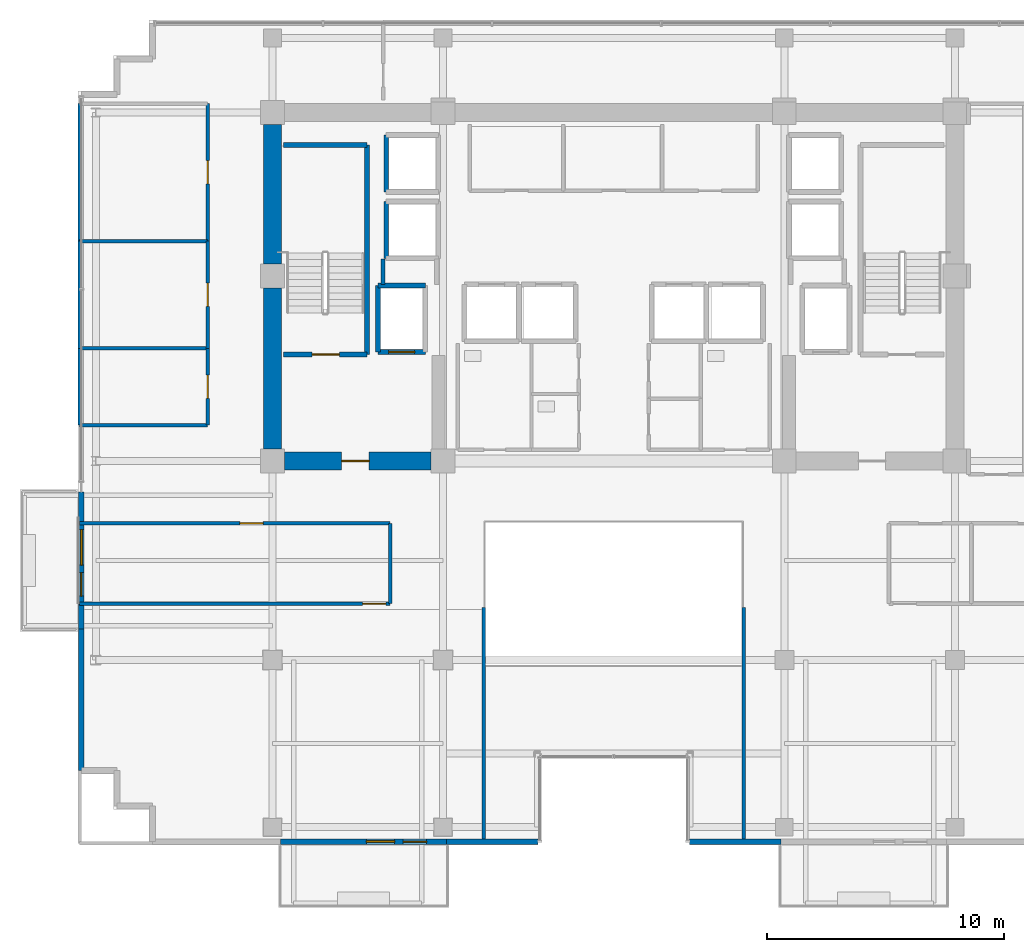
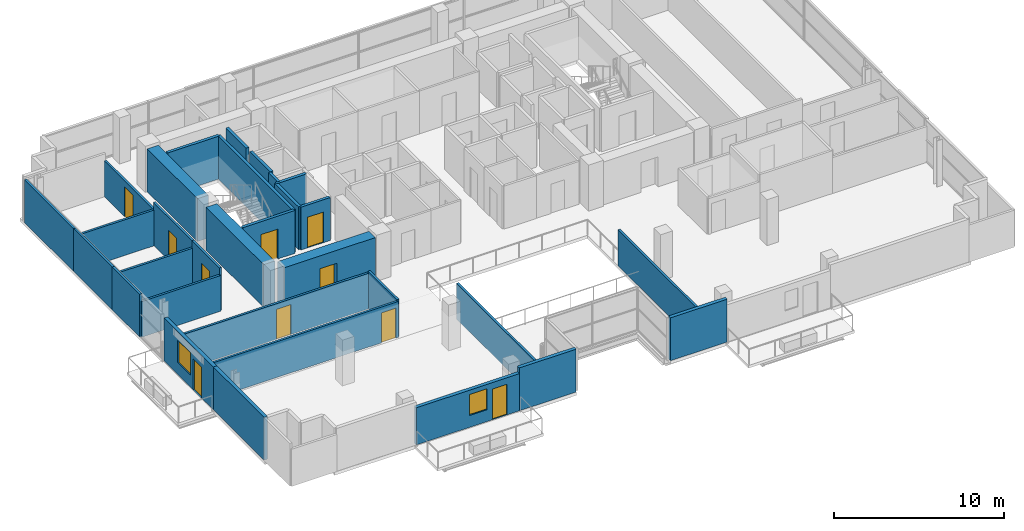
# One storey, part 15 of 22: 31 walls, 10 doors, 2 windows, 12 openings.
"""IFC4 building model written with IfcOpenShell, lengths in metres."""

from ifc_helpers import new_model, si_unit, direction, frame, frame_2d, origin, place, context, subcontext, project, spatial, rectangle, extrude, source, transform, mapped, material, layer, layer_set, type_object, element, fill, save


model = new_model("IFC4")

# Units and contexts
model_context = context("Model", 3, precision=1e-05, world=origin(), true_north=direction((0.0, 1.0)))
body_context = subcontext(model_context, "Body", "Model", "MODEL_VIEW")
ifc_project = project(units=[si_unit("LENGTHUNIT", "METRE"), si_unit("AREAUNIT", "SQUARE_METRE"), si_unit("VOLUMEUNIT", "CUBIC_METRE"), si_unit("PLANEANGLEUNIT", "RADIAN"), si_unit("MASSUNIT", "GRAM", prefix="KILO")], contexts=[model_context])

# Site, building, storey
site_placement = place(None, origin())
site = spatial("IfcSite", under=ifc_project, at=site_placement, CompositionType="ELEMENT")
building_placement = place(site_placement, origin())
building = spatial("IfcBuilding", under=site, at=building_placement, Name="Zarnakvel Exchange Tower", CompositionType="ELEMENT")
storey_placement = place(building_placement, frame((0.0, 0.0, 192.39990234375)))
storey = spatial("IfcBuildingStorey", under=building, at=storey_placement, Name="L54", CompositionType="ELEMENT", Elevation=192.39990234375)

# Walls
ifc_material_1 = material(Name="Concrete C60/75", Category="concrete")
ifc_layer_1 = layer(ifc_material_1, 0.75)
ifc_layer_set_1 = layer_set([ifc_layer_1], Name="Concrete C60/75")
wall_type_1 = type_object("IfcWallType", Name="CW-C3", PredefinedType="SHEAR", material=ifc_layer_set_1)
wall_1_placement = place(storey_placement, frame((-14.39990234375, -0.699951171875, 0.0), z_axis=(0.0, 0.0, 1.0), x_axis=(0.0, 1.0, 0.0)))
element("IfcWall", 1, at=wall_1_placement, inside=storey, type_object=wall_type_1, Name="L54 Rear Core Shear Wall W1 (CW-C3)", PredefinedType="SHEAR", context=body_context, shape_type="SweptSolid", body=[
    extrude(rectangle(XDim=6.800048828125, YDim=0.75, at=frame_2d((3.39990234375, 0.0))), origin(), (0.0, 0.0, 1.0), 3.0751953125),
])
wall_2_placement = place(storey_placement, frame((-14.39990234375, 7.10009765625, 0.0), z_axis=(0.0, 0.0, 1.0), x_axis=(0.0, 1.0, 0.0)))
element("IfcWall", 2, at=wall_2_placement, inside=storey, type_object=wall_type_1, Name="L54 Rear Core Shear Wall W2 (CW-C3)", PredefinedType="SHEAR", context=body_context, shape_type="SweptSolid", body=[
    extrude(rectangle(XDim=5.89990234375, YDim=0.75, at=frame_2d((2.949951171875, 0.0))), origin(), (0.0, 0.0, 1.0), 3.0751953125),
])

# Wall, opening, door
wall_3_placement = place(storey_placement, frame((-7.699951171875, -1.199951171875, 0.0), z_axis=(0.0, 0.0, 1.0), x_axis=(-1.0, 0.0, 0.0)))
wall_3 = element("IfcWall", 3, at=wall_3_placement, inside=storey, type_object=wall_type_1, Name="L54 Rear Core Shear Wall SW (CW-C3)", PredefinedType="SHEAR", context=body_context, shape_type="SweptSolid", body=[
    extrude(rectangle(XDim=6.199951171875, YDim=0.75, at=frame_2d((3.10009765625, 0.0))), origin(), (0.0, 0.0, 1.0), 3.0751953125),
])
opening_1_placement = place(wall_3_placement, frame((2.625, 0.0, 0.0)))
opening_1 = element("IfcOpeningElement", 4, at=opening_1_placement, cuts=wall_3, Name="Opening D-L54-03", PredefinedType="OPENING", context=body_context, shape_type="SweptSolid", body=[
    extrude(rectangle(XDim=1.14990234375, YDim=2.14990234375, at=frame_2d((0.574951171875, 1.074951171875))), frame((0.0, 0.385009765625, 0.0), z_axis=(0.0, -1.0, 0.0), x_axis=(1.0, 0.0, 0.0)), (0.0, 0.0, 1.0), 0.77001953125),
])
ifc_material_2 = material(Name="Painted Galvanised Steel S355", Category="steel")
door_type_1 = type_object("IfcDoorType", Name="DT-04", OperationType="NOTDEFINED", PredefinedType="DOOR", material=ifc_material_2)
shared_shape_1 = source(origin(), body_context, "Body", "SweptSolid", [
    extrude(rectangle(XDim=1.14990234375, YDim=2.14990234375, at=frame_2d((0.574951171875, 1.074951171875))), frame((0.0, 0.02490234375, 0.0), z_axis=(0.0, -1.0, 0.0), x_axis=(1.0, 0.0, 0.0)), (0.0, 0.0, 1.0), 0.050048828125),
])
door_1_placement = place(opening_1_placement, origin())
door_1 = element("IfcDoor", 5, at=door_1_placement, inside=storey, type_object=door_type_1, Name="L54 Firefighting Lobby West Door D-L54-03", OperationType="SINGLE_SWING_RIGHT", OverallHeight=2.14990234375, OverallWidth=1.14990234375, PredefinedType="DOOR", context=body_context, shape_type="MappedRepresentation", body=[
    mapped(shared_shape_1, transform((0.0, 0.0, 0.0), x_axis=(1.0, 0.0, 0.0), y_axis=(0.0, 1.0, 0.0), z_axis=(0.0, 0.0, 1.0), scale=1.0)),
])
fill(opening_1, door_1)

# Wall, openings, door, window
ifc_material_3 = material(Name="Precast concrete C40/50", Category="concrete")
ifc_layer_2 = layer(ifc_material_3, 0.239990234375)
ifc_layer_set_2 = layer_set([ifc_layer_2], Name="Precast concrete C40/50")
wall_type_2 = type_object("IfcWallType", Name="EW-02", PredefinedType="SOLIDWALL", material=ifc_layer_set_2)
wall_4_placement = place(storey_placement, frame((-7.050048828125, -17.260009765625, 0.0), z_axis=(0.0, 0.0, 1.0), x_axis=(-1.0, 0.0, 0.0)))
wall_4 = element("IfcWall", 6, at=wall_4_placement, inside=storey, type_object=wall_type_2, Name="L54 Exterior Precast Spandrel Wall EW-BAL-L54-SW (EW-02)", PredefinedType="SOLIDWALL", context=body_context, shape_type="SweptSolid", body=[
    extrude(rectangle(XDim=7.0, YDim=0.239990234375, at=frame_2d((3.5, 0.0))), origin(), (0.0, 0.0, 1.0), 2.6650390625),
])
opening_2_placement = place(wall_4_placement, frame((0.840087890625, 0.0, 0.0)))
opening_2 = element("IfcOpeningElement", 7, at=opening_2_placement, cuts=wall_4, Name="Opening BD-L54-01", PredefinedType="OPENING", context=body_context, shape_type="SweptSolid", body=[
    extrude(rectangle(XDim=1.0, YDim=2.199951171875, at=frame_2d((0.5, 1.10009765625))), frame((0.0, 0.1298828125, 0.0), z_axis=(0.0, -1.0, 0.0), x_axis=(1.0, 0.0, 0.0)), (0.0, 0.0, 1.0), 0.260009765625),
])
opening_3_placement = place(wall_4_placement, frame((2.18994140625, 0.0, 0.85009765625)))
opening_3 = element("IfcOpeningElement", 8, at=opening_3_placement, cuts=wall_4, Name="Opening WN-04", PredefinedType="OPENING", context=body_context, shape_type="SweptSolid", body=[
    extrude(rectangle(XDim=1.199951171875, YDim=1.5, at=frame_2d((0.60009765625, 0.75))), frame((0.0, 0.1298828125, 0.0), z_axis=(0.0, -1.0, 0.0), x_axis=(1.0, 0.0, 0.0)), (0.0, 0.0, 1.0), 0.260009765625),
])
ifc_material_4 = material(Name="Architectural Bronze Anodised Aluminium", Category="aluminium")
door_type_2 = type_object("IfcDoorType", Name="DT-09", OperationType="NOTDEFINED", PredefinedType="DOOR", material=ifc_material_4)
shared_shape_2 = source(origin(), body_context, "Body", "SweptSolid", [
    extrude(rectangle(XDim=1.0, YDim=2.199951171875, at=frame_2d((0.5, 1.10009765625))), frame((0.0, 0.02490234375, 0.0), z_axis=(0.0, -1.0, 0.0), x_axis=(1.0, 0.0, 0.0)), (0.0, 0.0, 1.0), 0.050048828125),
])
door_2_placement = place(opening_2_placement, origin())
door_2 = element("IfcDoor", 9, at=door_2_placement, inside=storey, type_object=door_type_2, Name="L54 Planted Loggia Balcony Door BD-L54-01", OperationType="SINGLE_SWING_RIGHT", OverallHeight=2.199951171875, OverallWidth=1.0, PredefinedType="DOOR", context=body_context, shape_type="MappedRepresentation", body=[
    mapped(shared_shape_2, transform((0.0, 0.0, 0.0), x_axis=(1.0, 0.0, 0.0), y_axis=(0.0, 1.0, 0.0), z_axis=(0.0, 0.0, 1.0), scale=1.0)),
])
fill(opening_2, door_2)
ifc_material_5 = material(Name="Double Low-E Laminated Vision Glass", Category="glass")
window_type_1 = type_object("IfcWindowType", Name="WN-04", PartitioningType="SINGLE_PANEL", PredefinedType="WINDOW", material=ifc_material_5)
shared_shape_3 = source(origin(), body_context, "Body", "SweptSolid", [
    extrude(rectangle(XDim=1.199951171875, YDim=1.5, at=frame_2d((0.60009765625, 0.75))), frame((0.0, 0.030029296875, 0.0), z_axis=(0.0, -1.0, 0.0), x_axis=(1.0, 0.0, 0.0)), (0.0, 0.0, 1.0), 0.06005859375),
])
window_1_placement = place(opening_3_placement, origin())
window_1 = element("IfcWindow", 10, at=window_1_placement, inside=storey, type_object=window_type_1, Name="L54 Loggia Daylight Window (WN-04)", OverallHeight=1.5, OverallWidth=1.199951171875, PartitioningType="SINGLE_PANEL", PredefinedType="WINDOW", context=body_context, shape_type="MappedRepresentation", body=[
    mapped(shared_shape_3, transform((0.0, 0.0, 0.0), x_axis=(1.0, 0.0, 0.0), y_axis=(0.0, 1.0, 0.0), z_axis=(0.0, 0.0, 1.0), scale=1.0)),
])
fill(opening_3, window_1)

wall_5_placement = place(storey_placement, frame((-22.4599609375, -8.300048828125, 0.0), z_axis=(0.0, 0.0, 1.0), x_axis=(0.0, 1.0, 0.0)))
wall_5 = element("IfcWall", 11, at=wall_5_placement, inside=storey, type_object=wall_type_2, Name="L54 Exterior Precast Spandrel Wall EW-BAL-L54-W (EW-02)", PredefinedType="SOLIDWALL", context=body_context, shape_type="SweptSolid", body=[
    extrude(rectangle(XDim=5.800048828125, YDim=0.239990234375, at=frame_2d((2.89990234375, 0.0))), origin(), (0.0, 0.0, 1.0), 3.0751953125),
])
opening_4_placement = place(wall_5_placement, frame((1.39208984375, 0.0, 0.0)))
opening_4 = element("IfcOpeningElement", 12, at=opening_4_placement, cuts=wall_5, Name="Opening BD-L54-03", PredefinedType="OPENING", context=body_context, shape_type="SweptSolid", body=[
    extrude(rectangle(XDim=1.0, YDim=2.199951171875, at=frame_2d((0.5, 1.10009765625))), frame((0.0, 0.1298828125, 0.0), z_axis=(0.0, -1.0, 0.0), x_axis=(1.0, 0.0, 0.0)), (0.0, 0.0, 1.0), 0.260009765625),
])
opening_5_placement = place(wall_5_placement, frame((2.699951171875, 0.0, 0.85009765625)))
opening_5 = element("IfcOpeningElement", 13, at=opening_5_placement, cuts=wall_5, Name="Opening WN-03", PredefinedType="OPENING", context=body_context, shape_type="SweptSolid", body=[
    extrude(rectangle(XDim=1.5, YDim=1.60009765625, at=frame_2d((0.75, 0.800048828125))), frame((0.0, 0.1298828125, 0.0), z_axis=(0.0, -1.0, 0.0), x_axis=(1.0, 0.0, 0.0)), (0.0, 0.0, 1.0), 0.260009765625),
])
door_3_placement = place(opening_4_placement, origin())
door_3 = element("IfcDoor", 14, at=door_3_placement, inside=storey, type_object=door_type_2, Name="L54 Planted Loggia Balcony Door BD-L54-03", OperationType="SINGLE_SWING_RIGHT", OverallHeight=2.199951171875, OverallWidth=1.0, PredefinedType="DOOR", context=body_context, shape_type="MappedRepresentation", body=[
    mapped(shared_shape_2, transform((0.0, 0.0, 0.0), x_axis=(1.0, 0.0, 0.0), y_axis=(0.0, 1.0, 0.0), z_axis=(0.0, 0.0, 1.0), scale=1.0)),
])
fill(opening_4, door_3)
window_type_2 = type_object("IfcWindowType", Name="WN-03", PartitioningType="SINGLE_PANEL", PredefinedType="WINDOW", material=ifc_material_5)
shared_shape_4 = source(origin(), body_context, "Body", "SweptSolid", [
    extrude(rectangle(XDim=1.5, YDim=1.60009765625, at=frame_2d((0.75, 0.800048828125))), frame((0.0, 0.030029296875, 0.0), z_axis=(0.0, -1.0, 0.0), x_axis=(1.0, 0.0, 0.0)), (0.0, 0.0, 1.0), 0.06005859375),
])
window_2_placement = place(opening_5_placement, origin())
window_2 = element("IfcWindow", 15, at=window_2_placement, inside=storey, type_object=window_type_2, Name="L54 Loggia Daylight Window (WN-03)", OverallHeight=1.60009765625, OverallWidth=1.5, PartitioningType="SINGLE_PANEL", PredefinedType="WINDOW", context=body_context, shape_type="MappedRepresentation", body=[
    mapped(shared_shape_4, transform((0.0, 0.0, 0.0), x_axis=(1.0, 0.0, 0.0), y_axis=(0.0, 1.0, 0.0), z_axis=(0.0, 0.0, 1.0), scale=1.0)),
])
fill(opening_5, window_2)

# Walls
wall_6_placement = place(storey_placement, frame((-22.4599609375, -8.300048828125, 0.0), z_axis=(0.0, 0.0, 1.0), x_axis=(0.0, -1.0, 0.0)))
element("IfcWall", 16, at=wall_6_placement, inside=storey, type_object=wall_type_2, Name="L54 Exterior Precast Spandrel Wall EWC-L54-01 (EW-02)", PredefinedType="SOLIDWALL", context=body_context, shape_type="SweptSolid", body=[
    extrude(rectangle(XDim=5.9599609375, YDim=0.239990234375, at=frame_2d((2.97998046875, 0.0))), origin(), (0.0, 0.0, 1.0), 3.0751953125),
])
for number, where, z_axis, x_axis, name in (
    (17, (3.199951171875, -17.260009765625, 0.0), (0.0, 0.0, 1.0), (1.0, 0.0, 0.0), "L54 Exterior Precast Spandrel Wall EWC-L54-16 (EW-02)"),
    (18, (-7.050048828125, -17.260009765625, 0.0), (0.0, 0.0, 1.0), (1.0, 0.0, 0.0), "L54 Exterior Precast Spandrel Wall EWC-L54-21 (EW-02)"),
):
    element("IfcWall", number, at=place(storey_placement, frame(where, z_axis=z_axis, x_axis=x_axis)), inside=storey, type_object=wall_type_2, Name=name, PredefinedType="SOLIDWALL", context=body_context, shape_type="SweptSolid", body=[
        extrude(rectangle(XDim=3.85009765625, YDim=0.239990234375, at=frame_2d((1.925048828125, 0.0))), origin(), (0.0, 0.0, 1.0), 3.0751953125),
    ])

# Wall, opening, door
ifc_material_6 = material(Name="Fire-Rated Gypsum Stud Partition", Category="gypsum")
ifc_layer_3 = layer(ifc_material_6, 0.14990234375)
ifc_layer_set_3 = layer_set([ifc_layer_3], Name="Fire-Rated Gypsum Stud Partition")
wall_type_3 = type_object("IfcWallType", Name="PT-01", PredefinedType="PARTITIONING", material=ifc_layer_set_3)
wall_7_placement = place(storey_placement, frame((-9.429931640625, -7.219970703125, 0.0), z_axis=(0.0, 0.0, 1.0), x_axis=(-1.0, 0.0, 0.0)))
wall_7 = element("IfcWall", 19, at=wall_7_placement, inside=storey, type_object=wall_type_3, Name="L54 Partition Wall PWALL-L54-033 (PT-01)", PredefinedType="PARTITIONING", context=body_context, shape_type="SweptSolid", body=[
    extrude(rectangle(XDim=13.10009765625, YDim=0.14990234375, at=frame_2d((6.550048828125, 0.0))), origin(), (0.0, 0.0, 1.0), 2.565185546875),
])
opening_6_placement = place(wall_7_placement, frame((0.179931640625, 0.0, 0.0)))
opening_6 = element("IfcOpeningElement", 20, at=opening_6_placement, cuts=wall_7, Name="Opening D-L54-15", PredefinedType="OPENING", context=body_context, shape_type="SweptSolid", body=[
    extrude(rectangle(XDim=0.97998046875, YDim=2.14990234375, at=frame_2d((0.489990234375, 1.074951171875))), frame((0.0, 0.0849609375, 0.0), z_axis=(0.0, -1.0, 0.0), x_axis=(1.0, 0.0, 0.0)), (0.0, 0.0, 1.0), 0.169921875),
])
ifc_material_7 = material(Name="Timber Acoustic Veneer", Category="wood")
door_type_3 = type_object("IfcDoorType", Name="DT-05", OperationType="NOTDEFINED", PredefinedType="DOOR", material=ifc_material_7)
shared_shape_5 = source(origin(), body_context, "Body", "SweptSolid", [
    extrude(rectangle(XDim=0.97998046875, YDim=2.14990234375, at=frame_2d((0.489990234375, 1.074951171875))), frame((0.0, 0.02490234375, 0.0), z_axis=(0.0, -1.0, 0.0), x_axis=(1.0, 0.0, 0.0)), (0.0, 0.0, 1.0), 0.050048828125),
])
door_4_placement = place(opening_6_placement, origin())
door_4 = element("IfcDoor", 21, at=door_4_placement, inside=storey, type_object=door_type_3, Name="L54 Sovereign Wealth Office Door D-L54-15", OperationType="SINGLE_SWING_RIGHT", OverallHeight=2.14990234375, OverallWidth=0.97998046875, PredefinedType="DOOR", context=body_context, shape_type="MappedRepresentation", body=[
    mapped(shared_shape_5, transform((0.0, 0.0, 0.0), x_axis=(1.0, 0.0, 0.0), y_axis=(0.0, 1.0, 0.0), z_axis=(0.0, 0.0, 1.0), scale=1.0)),
])
fill(opening_6, door_4)

wall_8_placement = place(storey_placement, frame((-22.530029296875, -3.830078125, 0.0), z_axis=(0.0, 0.0, 1.0), x_axis=(1.0, 0.0, 0.0)))
wall_8 = element("IfcWall", 22, at=wall_8_placement, inside=storey, type_object=wall_type_3, Name="L54 Partition Wall PWALL-L54-034 (PT-01)", PredefinedType="PARTITIONING", context=body_context, shape_type="SweptSolid", body=[
    extrude(rectangle(XDim=13.10009765625, YDim=0.14990234375, at=frame_2d((6.550048828125, 0.0))), origin(), (0.0, 0.0, 1.0), 2.565185546875),
])
opening_7_placement = place(wall_8_placement, frame((6.760009765625, 0.0, 0.0)))
opening_7 = element("IfcOpeningElement", 23, at=opening_7_placement, cuts=wall_8, Name="Opening D-L54-14", PredefinedType="OPENING", context=body_context, shape_type="SweptSolid", body=[
    extrude(rectangle(XDim=0.97998046875, YDim=2.14990234375, at=frame_2d((0.489990234375, 1.074951171875))), frame((0.0, 0.0849609375, 0.0), z_axis=(0.0, -1.0, 0.0), x_axis=(1.0, 0.0, 0.0)), (0.0, 0.0, 1.0), 0.169921875),
])
door_5_placement = place(opening_7_placement, origin())
door_5 = element("IfcDoor", 24, at=door_5_placement, inside=storey, type_object=door_type_3, Name="L54 Sovereign Wealth Office Door D-L54-14", OperationType="SINGLE_SWING_LEFT", OverallHeight=2.14990234375, OverallWidth=0.97998046875, PredefinedType="DOOR", context=body_context, shape_type="MappedRepresentation", body=[
    mapped(shared_shape_5, transform((0.0, 0.0, 0.0), x_axis=(1.0, 0.0, 0.0), y_axis=(0.0, 1.0, 0.0), z_axis=(0.0, 0.0, 1.0), scale=1.0)),
])
fill(opening_7, door_5)

# Walls
wall_9_placement = place(storey_placement, frame((-9.429931640625, -3.830078125, 0.0), z_axis=(0.0, 0.0, 1.0), x_axis=(0.0, -1.0, 0.0)))
element("IfcWall", 25, at=wall_9_placement, inside=storey, type_object=wall_type_3, Name="L54 Partition Wall PWALL-L54-036 (PT-01)", PredefinedType="PARTITIONING", context=body_context, shape_type="SweptSolid", body=[
    extrude(rectangle(XDim=3.389892578125, YDim=0.14990234375, at=frame_2d((1.69482421875, 0.0))), origin(), (0.0, 0.0, 1.0), 2.6650390625),
])
for number, where, z_axis, x_axis, name in (
    (26, (-5.47998046875, -7.3798828125, 0.0), (0.0, 0.0, 1.0), (0.0, -1.0, 0.0), "L54 Partition Wall PWALL-L54-039 (PT-01)"),
    (27, (5.47998046875, -17.330078125, 0.0), (0.0, 0.0, 1.0), (0.0, 1.0, 0.0), "L54 Partition Wall PWALL-L54-051 (PT-01)"),
):
    element("IfcWall", number, at=place(storey_placement, frame(where, z_axis=z_axis, x_axis=x_axis)), inside=storey, type_object=wall_type_3, Name=name, PredefinedType="PARTITIONING", context=body_context, shape_type="SweptSolid", body=[
        extrude(rectangle(XDim=9.9501953125, YDim=0.14990234375, at=frame_2d((4.97509765625, 0.0))), origin(), (0.0, 0.0, 1.0), 2.565185546875),
    ])
for number, where, z_axis, x_axis, name in (
    (28, (-17.1298828125, 0.314453125, 0.0), (0.0, 0.0, 1.0), (-1.0, 0.0, 0.0), "L54 Partition Wall PWALL-L54-053 (PT-01)"),
    (29, (-22.530029296875, 3.553466796875, 0.0), (0.0, 0.0, 1.0), (1.0, 0.0, 0.0), "L54 Partition Wall PWALL-L54-054 (PT-01)"),
):
    element("IfcWall", number, at=place(storey_placement, frame(where, z_axis=z_axis, x_axis=x_axis)), inside=storey, type_object=wall_type_3, Name=name, PredefinedType="PARTITIONING", context=body_context, shape_type="SweptSolid", body=[
        extrude(rectangle(XDim=5.400146484375, YDim=0.14990234375, at=frame_2d((2.7001953125, 0.0))), origin(), (0.0, 0.0, 1.0), 2.565185546875),
    ])
wall_10_placement = place(storey_placement, frame((-22.530029296875, 0.314453125, 0.0), z_axis=(0.0, 0.0, 1.0), x_axis=(0.0, 1.0, 0.0)))
element("IfcWall", 30, at=wall_10_placement, inside=storey, type_object=wall_type_3, Name="L54 Partition Wall PWALL-L54-055 (PT-01)", PredefinedType="PARTITIONING", context=body_context, shape_type="SweptSolid", body=[
    extrude(rectangle(XDim=3.239013671875, YDim=0.14990234375, at=frame_2d((1.61962890625, 0.0))), origin(), (0.0, 0.0, 1.0), 3.0751953125),
])

# Wall, opening, door
wall_11_placement = place(storey_placement, frame((-17.1298828125, 3.553466796875, 0.0), z_axis=(0.0, 0.0, 1.0), x_axis=(0.0, -1.0, 0.0)))
wall_11 = element("IfcWall", 31, at=wall_11_placement, inside=storey, type_object=wall_type_3, Name="L54 Partition Wall PWALL-L54-056 (PT-01)", PredefinedType="PARTITIONING", context=body_context, shape_type="SweptSolid", body=[
    extrude(rectangle(XDim=3.239013671875, YDim=0.14990234375, at=frame_2d((1.61962890625, 0.0))), origin(), (0.0, 0.0, 1.0), 3.0751953125),
])
opening_8_placement = place(wall_11_placement, frame((1.12939453125, 0.0, 0.0)))
opening_8 = element("IfcOpeningElement", 32, at=opening_8_placement, cuts=wall_11, Name="Opening D-L54-20", PredefinedType="OPENING", context=body_context, shape_type="SweptSolid", body=[
    extrude(rectangle(XDim=0.97998046875, YDim=2.14990234375, at=frame_2d((0.489990234375, 1.074951171875))), frame((0.0, 0.0849609375, 0.0), z_axis=(0.0, -1.0, 0.0), x_axis=(1.0, 0.0, 0.0)), (0.0, 0.0, 1.0), 0.169921875),
])
door_6_placement = place(opening_8_placement, origin())
door_6 = element("IfcDoor", 33, at=door_6_placement, inside=storey, type_object=door_type_3, Name="L54 Executive Pantry Door D-L54-20", OperationType="SINGLE_SWING_LEFT", OverallHeight=2.14990234375, OverallWidth=0.97998046875, PredefinedType="DOOR", context=body_context, shape_type="MappedRepresentation", body=[
    mapped(shared_shape_5, transform((0.0, 0.0, 0.0), x_axis=(1.0, 0.0, 0.0), y_axis=(0.0, 1.0, 0.0), z_axis=(0.0, 0.0, 1.0), scale=1.0)),
])
fill(opening_8, door_6)

# Walls
wall_12_placement = place(storey_placement, frame((-22.530029296875, 8.0751953125, 0.0), z_axis=(0.0, 0.0, 1.0), x_axis=(1.0, 0.0, 0.0)))
element("IfcWall", 34, at=wall_12_placement, inside=storey, type_object=wall_type_3, Name="L54 Partition Wall PWALL-L54-057 (PT-01)", PredefinedType="PARTITIONING", context=body_context, shape_type="SweptSolid", body=[
    extrude(rectangle(XDim=5.400146484375, YDim=0.14990234375, at=frame_2d((2.7001953125, 0.0))), origin(), (0.0, 0.0, 1.0), 2.565185546875),
])
wall_13_placement = place(storey_placement, frame((-22.530029296875, 3.553466796875, 0.0), z_axis=(0.0, 0.0, 1.0), x_axis=(0.0, 1.0, 0.0)))
element("IfcWall", 35, at=wall_13_placement, inside=storey, type_object=wall_type_3, Name="L54 Partition Wall PWALL-L54-058 (PT-01)", PredefinedType="PARTITIONING", context=body_context, shape_type="SweptSolid", body=[
    extrude(rectangle(XDim=4.521728515625, YDim=0.14990234375, at=frame_2d((2.2607421875, 0.0))), origin(), (0.0, 0.0, 1.0), 3.0751953125),
])

# Wall, opening, door
wall_14_placement = place(storey_placement, frame((-17.1298828125, 8.0751953125, 0.0), z_axis=(0.0, 0.0, 1.0), x_axis=(0.0, -1.0, 0.0)))
wall_14 = element("IfcWall", 36, at=wall_14_placement, inside=storey, type_object=wall_type_3, Name="L54 Partition Wall PWALL-L54-059 (PT-01)", PredefinedType="PARTITIONING", context=body_context, shape_type="SweptSolid", body=[
    extrude(rectangle(XDim=4.521728515625, YDim=0.14990234375, at=frame_2d((2.2607421875, 0.0))), origin(), (0.0, 0.0, 1.0), 3.0751953125),
])
opening_9_placement = place(wall_14_placement, frame((1.771240234375, 0.0, 0.0)))
opening_9 = element("IfcOpeningElement", 37, at=opening_9_placement, cuts=wall_14, Name="Opening D-L54-21", PredefinedType="OPENING", context=body_context, shape_type="SweptSolid", body=[
    extrude(rectangle(XDim=0.97998046875, YDim=2.14990234375, at=frame_2d((0.489990234375, 1.074951171875))), frame((0.0, 0.0849609375, 0.0), z_axis=(0.0, -1.0, 0.0), x_axis=(1.0, 0.0, 0.0)), (0.0, 0.0, 1.0), 0.169921875),
])
door_7_placement = place(opening_9_placement, origin())
door_7 = element("IfcDoor", 38, at=door_7_placement, inside=storey, type_object=door_type_3, Name="L54 Legal Records Office Door D-L54-21", OperationType="SINGLE_SWING_RIGHT", OverallHeight=2.14990234375, OverallWidth=0.97998046875, PredefinedType="DOOR", context=body_context, shape_type="MappedRepresentation", body=[
    mapped(shared_shape_5, transform((0.0, 0.0, 0.0), x_axis=(1.0, 0.0, 0.0), y_axis=(0.0, 1.0, 0.0), z_axis=(0.0, 0.0, 1.0), scale=1.0)),
])
fill(opening_9, door_7)

# Wall
wall_15_placement = place(storey_placement, frame((-22.530029296875, 8.0751953125, 0.0), z_axis=(0.0, 0.0, 1.0), x_axis=(0.0, 1.0, 0.0)))
element("IfcWall", 39, at=wall_15_placement, inside=storey, type_object=wall_type_3, Name="L54 Partition Wall PWALL-L54-061 (PT-01)", PredefinedType="PARTITIONING", context=body_context, shape_type="SweptSolid", body=[
    extrude(rectangle(XDim=5.8046875, YDim=0.14990234375, at=frame_2d((2.90234375, 0.0))), origin(), (0.0, 0.0, 1.0), 3.0751953125),
])

# Wall, opening, door
wall_16_placement = place(storey_placement, frame((-17.1298828125, 13.8798828125, 0.0), z_axis=(0.0, 0.0, 1.0), x_axis=(0.0, -1.0, 0.0)))
wall_16 = element("IfcWall", 40, at=wall_16_placement, inside=storey, type_object=wall_type_3, Name="L54 Partition Wall PWALL-L54-062 (PT-01)", PredefinedType="PARTITIONING", context=body_context, shape_type="SweptSolid", body=[
    extrude(rectangle(XDim=5.8046875, YDim=0.14990234375, at=frame_2d((2.90234375, 0.0))), origin(), (0.0, 0.0, 1.0), 2.565185546875),
])
opening_10_placement = place(wall_16_placement, frame((2.412109375, 0.0, 0.0)))
opening_10 = element("IfcOpeningElement", 41, at=opening_10_placement, cuts=wall_16, Name="Opening D-L54-22", PredefinedType="OPENING", context=body_context, shape_type="SweptSolid", body=[
    extrude(rectangle(XDim=0.97998046875, YDim=2.14990234375, at=frame_2d((0.489990234375, 1.074951171875))), frame((0.0, 0.0849609375, 0.0), z_axis=(0.0, -1.0, 0.0), x_axis=(1.0, 0.0, 0.0)), (0.0, 0.0, 1.0), 0.169921875),
])
door_8_placement = place(opening_10_placement, origin())
door_8 = element("IfcDoor", 42, at=door_8_placement, inside=storey, type_object=door_type_3, Name="L54 Client Advisory Suite Door D-L54-22", OperationType="SINGLE_SWING_LEFT", OverallHeight=2.14990234375, OverallWidth=0.97998046875, PredefinedType="DOOR", context=body_context, shape_type="MappedRepresentation", body=[
    mapped(shared_shape_5, transform((0.0, 0.0, 0.0), x_axis=(1.0, 0.0, 0.0), y_axis=(0.0, 1.0, 0.0), z_axis=(0.0, 0.0, 1.0), scale=1.0)),
])
fill(opening_10, door_8)

# Wall
ifc_layer_4 = layer(ifc_material_6, 0.179931640625)
ifc_layer_set_4 = layer_set([ifc_layer_4], Name="Fire-Rated Gypsum Stud Partition")
wall_type_4 = type_object("IfcWallType", Name="PT-02", PredefinedType="PARTITIONING", material=ifc_layer_set_4)
wall_17_placement = place(storey_placement, frame((-9.72998046875, 6.239990234375, 0.0), z_axis=(0.0, 0.0, 1.0), x_axis=(0.0, 1.0, 0.0)))
element("IfcWall", 43, at=wall_17_placement, inside=storey, type_object=wall_type_4, Name="L54 Partition Wall PWALL-L54-007 (PT-02)", PredefinedType="PARTITIONING", context=body_context, shape_type="SweptSolid", body=[
    extrude(rectangle(XDim=1.090087890625, YDim=0.179931640625, at=frame_2d((0.544921875, 0.0))), origin(), (0.0, 0.0, 1.0), 3.0751953125),
])

# Wall, opening, door
ifc_material_8 = material(Name="Concrete C40/50", Category="concrete")
ifc_layer_5 = layer(ifc_material_8, 0.199951171875)
ifc_layer_set_5 = layer_set([ifc_layer_5], Name="Concrete C40/50")
wall_type_5 = type_object("IfcWallType", Name="SW-01", PredefinedType="SOLIDWALL", material=ifc_layer_set_5)
wall_18_placement = place(storey_placement, frame((-7.949951171875, 3.39990234375, 0.0), z_axis=(0.0, 0.0, 1.0), x_axis=(-1.0, 0.0, 0.0)))
wall_18 = element("IfcWall", 44, at=wall_18_placement, inside=storey, type_object=wall_type_5, Name="L54 FL-01 Hoistway Wall South", PredefinedType="SOLIDWALL", context=body_context, shape_type="SweptSolid", body=[
    extrude(rectangle(XDim=2.0, YDim=0.199951171875, at=frame_2d((1.0, 0.0))), origin(), (0.0, 0.0, 1.0), 3.0751953125),
])
opening_11_placement = place(wall_18_placement, frame((0.449951171875, 0.0, 0.0)))
opening_11 = element("IfcOpeningElement", 45, at=opening_11_placement, cuts=wall_18, Name="Opening LD-FL-01-L54", PredefinedType="OPENING", context=body_context, shape_type="SweptSolid", body=[
    extrude(rectangle(XDim=1.10009765625, YDim=2.199951171875, at=frame_2d((0.550048828125, 1.10009765625))), frame((0.0, 0.10986328125, 0.0), z_axis=(0.0, -1.0, 0.0), x_axis=(1.0, 0.0, 0.0)), (0.0, 0.0, 1.0), 0.219970703125),
])
ifc_material_9 = material(Name="Brushed Stainless Steel", Category="steel")
door_type_4 = type_object("IfcDoorType", Name="LDT-01", OperationType="NOTDEFINED", PredefinedType="DOOR", material=ifc_material_9)
shared_shape_6 = source(origin(), body_context, "Body", "SweptSolid", [
    extrude(rectangle(XDim=1.10009765625, YDim=2.199951171875, at=frame_2d((0.550048828125, 1.10009765625))), frame((0.0, 0.02490234375, 0.0), z_axis=(0.0, -1.0, 0.0), x_axis=(1.0, 0.0, 0.0)), (0.0, 0.0, 1.0), 0.050048828125),
])
door_9_placement = place(opening_11_placement, origin())
door_9 = element("IfcDoor", 46, at=door_9_placement, inside=storey, type_object=door_type_4, Name="L54 FL-01 Lift Landing Door LD-FL-01-L54", OperationType="DOUBLE_DOOR_SLIDING", OverallHeight=2.199951171875, OverallWidth=1.10009765625, PredefinedType="DOOR", context=body_context, shape_type="MappedRepresentation", body=[
    mapped(shared_shape_6, transform((0.0, 0.0, 0.0), x_axis=(1.0, 0.0, 0.0), y_axis=(0.0, 1.0, 0.0), z_axis=(0.0, 0.0, 1.0), scale=1.0)),
])
fill(opening_11, door_9)

# Walls
wall_19_placement = place(storey_placement, frame((-9.949951171875, 6.199951171875, 0.0), z_axis=(0.0, 0.0, 1.0), x_axis=(1.0, 0.0, 0.0)))
element("IfcWall", 47, at=wall_19_placement, inside=storey, type_object=wall_type_5, Name="L54 FL-01 Hoistway Wall North", PredefinedType="SOLIDWALL", context=body_context, shape_type="SweptSolid", body=[
    extrude(rectangle(XDim=2.0, YDim=0.199951171875, at=frame_2d((1.0, 0.0))), origin(), (0.0, 0.0, 1.0), 3.0751953125),
])
wall_20_placement = place(storey_placement, frame((-9.949951171875, 3.39990234375, 0.0), z_axis=(0.0, 0.0, 1.0), x_axis=(0.0, 1.0, 0.0)))
element("IfcWall", 48, at=wall_20_placement, inside=storey, type_object=wall_type_5, Name="L54 FL-01 Hoistway Wall West", PredefinedType="SOLIDWALL", context=body_context, shape_type="SweptSolid", body=[
    extrude(rectangle(XDim=2.800048828125, YDim=0.199951171875, at=frame_2d((1.39990234375, 0.0))), origin(), (0.0, 0.0, 1.0), 3.0751953125),
])
wall_21_placement = place(storey_placement, frame((-9.60009765625, 7.35009765625, 0.0), z_axis=(0.0, 0.0, 1.0), x_axis=(0.0, 1.0, 0.0)))
element("IfcWall", 49, at=wall_21_placement, inside=storey, type_object=wall_type_5, Name="L54 PL-09 Hoistway Wall West", PredefinedType="SOLIDWALL", context=body_context, shape_type="SweptSolid", body=[
    extrude(rectangle(XDim=2.39990234375, YDim=0.199951171875, at=frame_2d((1.199951171875, 0.0))), origin(), (0.0, 0.0, 1.0), 3.0751953125),
])
wall_22_placement = place(storey_placement, frame((-9.60009765625, 10.14990234375, 0.0), z_axis=(0.0, 0.0, 1.0), x_axis=(0.0, 1.0, 0.0)))
element("IfcWall", 50, at=wall_22_placement, inside=storey, type_object=wall_type_5, Name="L54 PL-10 Hoistway Wall West", PredefinedType="SOLIDWALL", context=body_context, shape_type="SweptSolid", body=[
    extrude(rectangle(XDim=2.400146484375, YDim=0.199951171875, at=frame_2d((1.2001953125, 0.0))), origin(), (0.0, 0.0, 1.0), 3.0751953125),
])

# Wall, opening, door
ifc_layer_6 = layer(ifc_material_8, 0.199951171875)
ifc_layer_set_6 = layer_set([ifc_layer_6], Name="Concrete C40/50")
wall_type_6 = type_object("IfcWallType", Name="SW-02", PredefinedType="SOLIDWALL", material=ifc_layer_set_6)
wall_23_placement = place(storey_placement, frame((-10.409912109375, 3.2900390625, 0.0), z_axis=(0.0, 0.0, 1.0), x_axis=(-1.0, 0.0, 0.0)))
wall_23 = element("IfcWall", 51, at=wall_23_placement, inside=storey, type_object=wall_type_6, Name="L54 Stairwell Core Wall PWALL-L54-001 (SW-02)", PredefinedType="SOLIDWALL", context=body_context, shape_type="SweptSolid", body=[
    extrude(rectangle(XDim=3.52001953125, YDim=0.199951171875, at=frame_2d((1.760009765625, 0.0))), origin(), (0.0, 0.0, 1.0), 3.0751953125),
])
opening_12_placement = place(wall_23_placement, frame((1.1650390625, 0.0, 0.0)))
opening_12 = element("IfcOpeningElement", 52, at=opening_12_placement, cuts=wall_23, Name="Opening D-L54-01", PredefinedType="OPENING", context=body_context, shape_type="SweptSolid", body=[
    extrude(rectangle(XDim=1.14990234375, YDim=2.14990234375, at=frame_2d((0.574951171875, 1.074951171875))), frame((0.0, 0.10986328125, 0.0), z_axis=(0.0, -1.0, 0.0), x_axis=(1.0, 0.0, 0.0)), (0.0, 0.0, 1.0), 0.219970703125),
])
door_10_placement = place(opening_12_placement, origin())
door_10 = element("IfcDoor", 53, at=door_10_placement, inside=storey, type_object=door_type_1, Name="L54 Stairwell ST-01 Door D-L54-01", OperationType="SINGLE_SWING_RIGHT", OverallHeight=2.14990234375, OverallWidth=1.14990234375, PredefinedType="DOOR", context=body_context, shape_type="MappedRepresentation", body=[
    mapped(shared_shape_1, transform((0.0, 0.0, 0.0), x_axis=(1.0, 0.0, 0.0), y_axis=(0.0, 1.0, 0.0), z_axis=(0.0, 0.0, 1.0), scale=1.0)),
])
fill(opening_12, door_10)

# Walls
wall_24_placement = place(storey_placement, frame((-13.929931640625, 12.1298828125, 0.0), z_axis=(0.0, 0.0, 1.0), x_axis=(1.0, 0.0, 0.0)))
element("IfcWall", 54, at=wall_24_placement, inside=storey, type_object=wall_type_6, Name="L54 Stairwell Core Wall PWALL-L54-002 (SW-02)", PredefinedType="SOLIDWALL", context=body_context, shape_type="SweptSolid", body=[
    extrude(rectangle(XDim=3.52001953125, YDim=0.199951171875, at=frame_2d((1.760009765625, 0.0))), origin(), (0.0, 0.0, 1.0), 3.0751953125),
])
wall_25_placement = place(storey_placement, frame((-10.409912109375, 12.1298828125, 0.0), z_axis=(0.0, 0.0, 1.0), x_axis=(0.0, -1.0, 0.0)))
element("IfcWall", 55, at=wall_25_placement, inside=storey, type_object=wall_type_6, Name="L54 Stairwell Core Wall PWALL-L54-003 (SW-02)", PredefinedType="SOLIDWALL", context=body_context, shape_type="SweptSolid", body=[
    extrude(rectangle(XDim=8.83984375, YDim=0.199951171875, at=frame_2d((4.419921875, 0.0))), origin(), (0.0, 0.0, 1.0), 3.0751953125),
])

save(model, "model.ifc")
